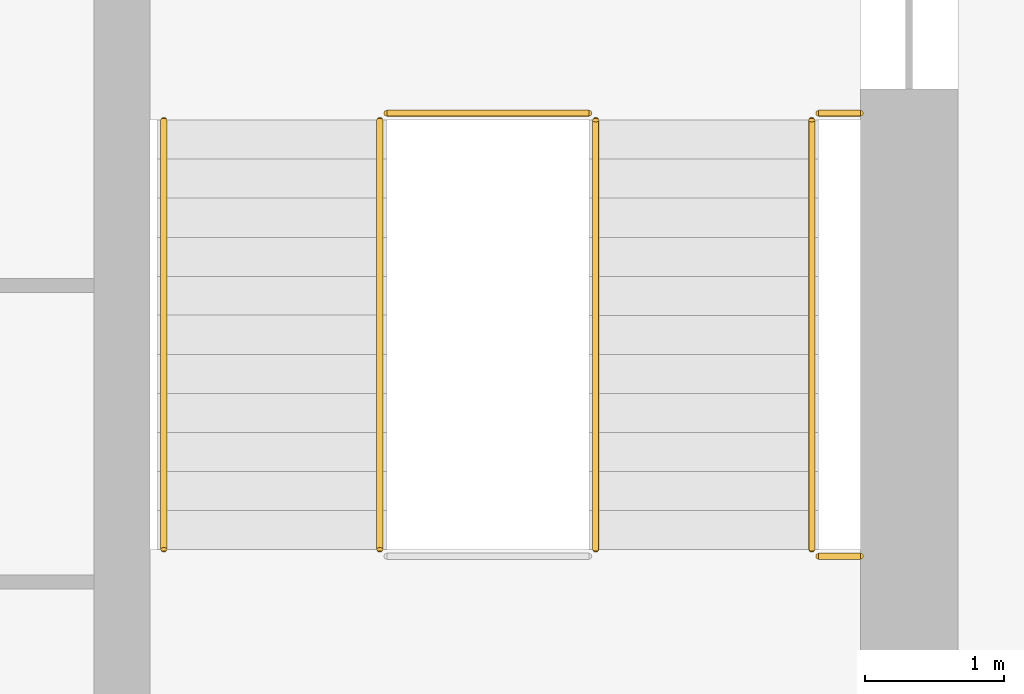
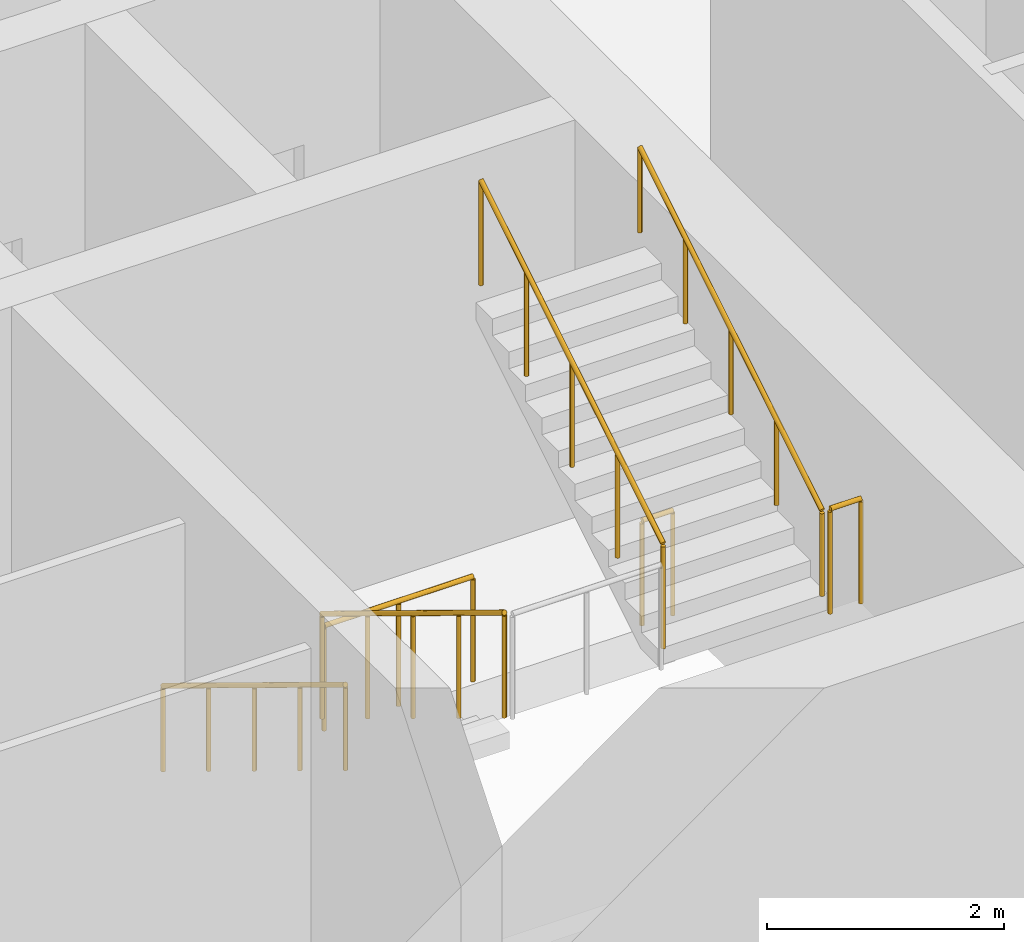
# One storey, part 12 of 17: 7 railings.
"""IFC4 building model written with IfcOpenShell, lengths in metres."""

from ifc_helpers import new_model, si_unit, direction, frame, origin, origin_2d, place, context, subcontext, project, spatial, circle, extrude, material, type_object, element, save


model = new_model("IFC4")

# Units and contexts
model_context = context("Model", 3, precision=1e-05, world=origin(), true_north=direction((0.0, 1.0)))
body_context = subcontext(model_context, "Body", "Model", "MODEL_VIEW")
ifc_project = project(units=[si_unit("LENGTHUNIT", "METRE"), si_unit("AREAUNIT", "SQUARE_METRE"), si_unit("VOLUMEUNIT", "CUBIC_METRE"), si_unit("PLANEANGLEUNIT", "RADIAN"), si_unit("MASSUNIT", "GRAM", prefix="KILO")], contexts=[model_context])

# Site, building, storey
site_placement = place(None, origin())
site = spatial("IfcSite", under=ifc_project, at=site_placement, CompositionType="ELEMENT")
building_placement = place(site_placement, origin())
building = spatial("IfcBuilding", under=site, at=building_placement, Name="Corbel Stack Research Tower", CompositionType="ELEMENT")
storey_placement = place(building_placement, frame((0.0, 0.0, 252.10009765625)))
storey = spatial("IfcBuildingStorey", under=building, at=storey_placement, Name="L57", CompositionType="ELEMENT", Elevation=252.10009765625)

# Railings
ifc_material_1 = material(Name="Steel S355", Category="steel")
railing_type_1 = type_object("IfcRailingType", Name="Stair guard 1100", PredefinedType="GUARDRAIL", material=ifc_material_1)
railing_1_placement = place(storey_placement, frame((13.85009765625, -2.39990234375, 0.170654296875)))
element("IfcRailing", 1, at=railing_1_placement, inside=storey, type_object=railing_type_1, Name="L57 ST-E1 stair guard 1", PredefinedType="GUARDRAIL", context=body_context, shape_type="SweptSolid", body=[
    extrude(circle(Radius=0.02392578125, at=origin_2d()), frame((0.0, 0.0, 1.076171875), z_axis=(0.0, -0.853666305674, 0.52082035152), x_axis=(1.0, 0.0, 0.0)), (0.0, 0.0, 1.0), 3.608154296875),
    extrude(circle(Radius=0.02099609375, at=origin_2d()), origin(), (0.0, 0.0, 1.0), 1.052001953125),
    extrude(circle(Radius=0.02099609375, at=origin_2d()), frame((0.0, -0.77001953125, 0.4697265625)), (0.0, 0.0, 1.0), 1.052001953125),
    extrude(circle(Radius=0.02099609375, at=origin_2d()), frame((0.0, -1.5400390625, 0.939453125)), (0.0, 0.0, 1.0), 1.052001953125),
    extrude(circle(Radius=0.02099609375, at=origin_2d()), frame((0.0, -2.31005859375, 1.409423828125)), (0.0, 0.0, 1.0), 1.052001953125),
    extrude(circle(Radius=0.02099609375, at=origin_2d()), frame((0.0, -3.080078125, 1.879150390625)), (0.0, 0.0, 1.0), 1.052001953125),
])
railing_2_placement = place(storey_placement, frame((17.0, -5.530029296875, 2.0498046875)))
element("IfcRailing", 2, at=railing_2_placement, inside=storey, type_object=railing_type_1, Name="L57 ST-E1 stair guard 3", PredefinedType="GUARDRAIL", context=body_context, shape_type="SweptSolid", body=[
    extrude(circle(Radius=0.02392578125, at=origin_2d()), frame((0.0, 0.0, 1.076171875), z_axis=(1.0, 0.0, 0.0), x_axis=(0.0, 1.0, 0.0)), (0.0, 0.0, 1.0), 0.300048828125),
    extrude(circle(Radius=0.02099609375, at=origin_2d()), origin(), (0.0, 0.0, 1.0), 1.052001953125),
    extrude(circle(Radius=0.02099609375, at=origin_2d()), frame((0.300048828125, 0.0, 0.0)), (0.0, 0.0, 1.0), 1.052001953125),
])
railing_3_placement = place(storey_placement, frame((15.39990234375, -5.47998046875, 2.220703125)))
element("IfcRailing", 3, at=railing_3_placement, inside=storey, type_object=railing_type_1, Name="L57 ST-E1 stair guard 4", PredefinedType="GUARDRAIL", context=body_context, shape_type="SweptSolid", body=[
    extrude(circle(Radius=0.02392578125, at=origin_2d()), frame((0.0, 0.0, 1.076171875), z_axis=(0.0, 0.853666305674, 0.52082035152), x_axis=(-1.0, 0.0, 0.0)), (0.0, 0.0, 1.0), 3.608154296875),
    extrude(circle(Radius=0.02099609375, at=origin_2d()), origin(), (0.0, 0.0, 1.0), 1.052001953125),
    extrude(circle(Radius=0.02099609375, at=origin_2d()), frame((0.0, 0.77001953125, 0.4697265625)), (0.0, 0.0, 1.0), 1.052001953125),
    extrude(circle(Radius=0.02099609375, at=origin_2d()), frame((0.0, 1.5400390625, 0.939453125)), (0.0, 0.0, 1.0), 1.052001953125),
    extrude(circle(Radius=0.02099609375, at=origin_2d()), frame((0.0, 2.31005859375, 1.409423828125)), (0.0, 0.0, 1.0), 1.052001953125),
    extrude(circle(Radius=0.02099609375, at=origin_2d()), frame((0.0, 3.080078125, 1.879150390625)), (0.0, 0.0, 1.0), 1.052001953125),
])
railing_4_placement = place(storey_placement, frame((13.89990234375, -2.35009765625, 0.0)))
element("IfcRailing", 4, at=railing_4_placement, inside=storey, type_object=railing_type_1, Name="L57 ST-E1 stair guard 5", PredefinedType="GUARDRAIL", context=body_context, shape_type="SweptSolid", body=[
    extrude(circle(Radius=0.02392578125, at=origin_2d()), frame((0.0, 0.0, 1.076171875), z_axis=(1.0, 0.0, 0.0), x_axis=(0.0, 1.0, 0.0)), (0.0, 0.0, 1.0), 1.4501953125),
    extrude(circle(Radius=0.02099609375, at=origin_2d()), origin(), (0.0, 0.0, 1.0), 1.052001953125),
    extrude(circle(Radius=0.02099609375, at=origin_2d()), frame((0.72509765625, 0.0, 0.0)), (0.0, 0.0, 1.0), 1.052001953125),
    extrude(circle(Radius=0.02099609375, at=origin_2d()), frame((1.4501953125, 0.0, 0.0)), (0.0, 0.0, 1.0), 1.052001953125),
])
railing_5_placement = place(storey_placement, frame((17.0, -2.35009765625, 0.0)))
element("IfcRailing", 5, at=railing_5_placement, inside=storey, type_object=railing_type_1, Name="L57 ST-E1 stair guard 6", PredefinedType="GUARDRAIL", context=body_context, shape_type="SweptSolid", body=[
    extrude(circle(Radius=0.02392578125, at=origin_2d()), frame((0.0, 0.0, 1.076171875), z_axis=(1.0, 0.0, 0.0), x_axis=(0.0, 1.0, 0.0)), (0.0, 0.0, 1.0), 0.300048828125),
    extrude(circle(Radius=0.02099609375, at=origin_2d()), origin(), (0.0, 0.0, 1.0), 1.052001953125),
    extrude(circle(Radius=0.02099609375, at=origin_2d()), frame((0.300048828125, 0.0, 0.0)), (0.0, 0.0, 1.0), 1.052001953125),
])
ifc_material_2 = material(Name="Steel S355", Category="steel")
railing_type_2 = type_object("IfcRailingType", Name="Stair handrail 900", PredefinedType="HANDRAIL", material=ifc_material_2)
railing_6_placement = place(storey_placement, frame((12.300048828125, -2.39990234375, 0.170654296875)))
element("IfcRailing", 6, at=railing_6_placement, inside=storey, type_object=railing_type_2, Name="L57 ST-E1 stair handrail 1", PredefinedType="HANDRAIL", context=body_context, shape_type="SweptSolid", body=[
    extrude(circle(Radius=0.02392578125, at=origin_2d()), frame((0.0, 0.0, 0.8759765625), z_axis=(0.0, -0.853666305674, 0.52082035152), x_axis=(1.0, 0.0, 0.0)), (0.0, 0.0, 1.0), 3.608154296875),
    extrude(circle(Radius=0.02099609375, at=origin_2d()), origin(), (0.0, 0.0, 1.0), 0.851806640625),
    extrude(circle(Radius=0.02099609375, at=origin_2d()), frame((0.0, -0.77001953125, 0.4697265625)), (0.0, 0.0, 1.0), 0.851806640625),
    extrude(circle(Radius=0.02099609375, at=origin_2d()), frame((0.0, -1.5400390625, 0.939453125)), (0.0, 0.0, 1.0), 0.851806640625),
    extrude(circle(Radius=0.02099609375, at=origin_2d()), frame((0.0, -2.31005859375, 1.409423828125)), (0.0, 0.0, 1.0), 0.851806640625),
    extrude(circle(Radius=0.02099609375, at=origin_2d()), frame((0.0, -3.080078125, 1.879150390625)), (0.0, 0.0, 1.0), 0.851806640625),
])
railing_7_placement = place(storey_placement, frame((16.949951171875, -5.47998046875, 2.220703125)))
element("IfcRailing", 7, at=railing_7_placement, inside=storey, type_object=railing_type_2, Name="L57 ST-E1 stair handrail 2", PredefinedType="HANDRAIL", context=body_context, shape_type="SweptSolid", body=[
    extrude(circle(Radius=0.02392578125, at=origin_2d()), frame((0.0, 0.0, 0.8759765625), z_axis=(0.0, 0.853666305674, 0.52082035152), x_axis=(-1.0, 0.0, 0.0)), (0.0, 0.0, 1.0), 3.608154296875),
    extrude(circle(Radius=0.02099609375, at=origin_2d()), origin(), (0.0, 0.0, 1.0), 0.851806640625),
    extrude(circle(Radius=0.02099609375, at=origin_2d()), frame((0.0, 0.77001953125, 0.4697265625)), (0.0, 0.0, 1.0), 0.851806640625),
    extrude(circle(Radius=0.02099609375, at=origin_2d()), frame((0.0, 1.5400390625, 0.939453125)), (0.0, 0.0, 1.0), 0.851806640625),
    extrude(circle(Radius=0.02099609375, at=origin_2d()), frame((0.0, 2.31005859375, 1.409423828125)), (0.0, 0.0, 1.0), 0.851806640625),
    extrude(circle(Radius=0.02099609375, at=origin_2d()), frame((0.0, 3.080078125, 1.879150390625)), (0.0, 0.0, 1.0), 0.851806640625),
])

save(model, "model.ifc")
